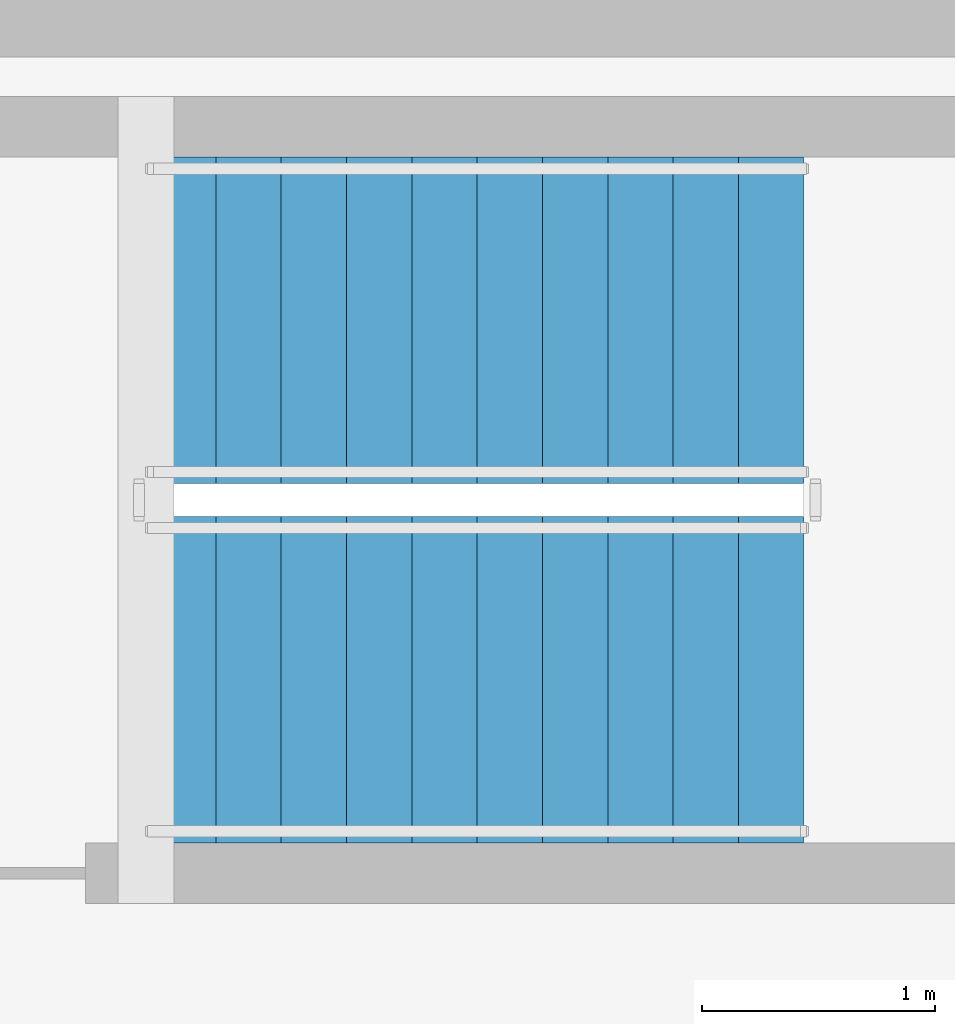
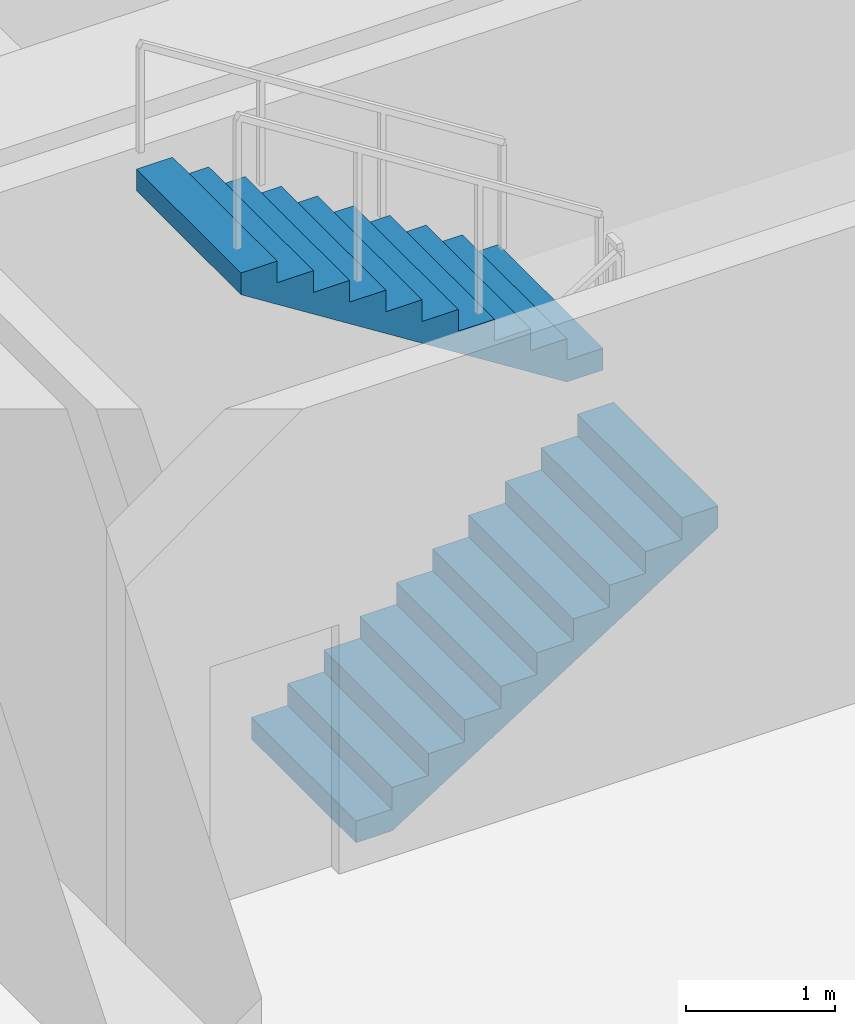
# One storey, part 22 of 26: 2 stair flights, 1 element without a shape of its own.
"""IFC4 building model written with IfcOpenShell, lengths in metres."""

from ifc_helpers import new_model, si_unit, direction, frame, origin, place, context, subcontext, project, spatial, polyline, outline, extrude, material, type_object, element, aggregate, save


model = new_model("IFC4")

# Units and contexts
model_context = context("Model", 3, precision=1e-05, world=origin(), true_north=direction((0.0, 1.0)))
body_context = subcontext(model_context, "Body", "Model", "MODEL_VIEW")
ifc_project = project(units=[si_unit("LENGTHUNIT", "METRE"), si_unit("AREAUNIT", "SQUARE_METRE"), si_unit("VOLUMEUNIT", "CUBIC_METRE"), si_unit("PLANEANGLEUNIT", "RADIAN"), si_unit("MASSUNIT", "GRAM", prefix="KILO")], contexts=[model_context])

# Site, building, storey
site_placement = place(None, origin())
site = spatial("IfcSite", under=ifc_project, at=site_placement, CompositionType="ELEMENT")
building_placement = place(site_placement, origin())
building = spatial("IfcBuilding", under=site, at=building_placement, Name="Kiyonajd Concourse Tower", CompositionType="ELEMENT")
storey_placement = place(building_placement, frame((0.0, 0.0, 72.89990234375)))
storey = spatial("IfcBuildingStorey", under=building, at=storey_placement, Name="L19", CompositionType="ELEMENT", Elevation=72.89990234375)

# Stair, stair flights
ifc_material = material(Name="Concrete C40/50", Category="concrete")
stair_type = type_object("IfcStairType", Name="ST-DLG-22R", PredefinedType="HALF_TURN_STAIR", material=ifc_material)
stair_placement = place(storey_placement, origin())
stair = element("IfcStair", 1, at=stair_placement, inside=storey, type_object=stair_type, Name="L19 Protected Exit Stair ST3", PredefinedType="HALF_TURN_STAIR")
stair_flight_type = type_object("IfcStairFlightType", Name="SF-STR-22R", PredefinedType="STRAIGHT", material=ifc_material)
stair_flight_1_placement = place(storey_placement, frame((56.47998046875, 40.780029296875, 0.0), z_axis=(0.0, 0.0, 1.0), x_axis=(1.0, 0.0, 0.0)))
stair_flight_1 = element("IfcStairFlight", 2, at=stair_flight_1_placement, type_object=stair_flight_type, Name="ST3 flight 1", NumberOfRisers=11, NumberOfTreads=10, PredefinedType="STRAIGHT", RiserHeight=0.177272727, TreadLength=0.28, context=body_context, shape_type="SweptSolid", body=[
    extrude(outline(polyline([(0.0, 0.0), (0.0, 0.17724609375), (0.280029296875, 0.17724609375), (0.280029296875, 0.3544921875), (0.56005859375, 0.3544921875), (0.56005859375, 0.53173828125), (0.840087890625, 0.53173828125), (0.840087890625, 0.708984375), (1.1201171875, 0.708984375), (1.1201171875, 0.886474609375), (1.39990234375, 0.886474609375), (1.39990234375, 1.063720703125), (1.679931640625, 1.063720703125), (1.679931640625, 1.240966796875), (1.9599609375, 1.240966796875), (1.9599609375, 1.418212890625), (2.239990234375, 1.418212890625), (2.239990234375, 1.595458984375), (2.52001953125, 1.595458984375), (2.52001953125, 1.772705078125), (2.800048828125, 1.772705078125), (2.800048828125, 1.949951171875), (2.800048828125, 1.59521484375), (0.2802734375, 0.0), (0.0, 0.0)])), frame((0.0, 0.699951171875, 0.0), z_axis=(0.0, -1.0, 0.0), x_axis=(1.0, 0.0, 0.0)), (0.0, 0.0, 1.0), 1.39990234375),
])
stair_flight_2_placement = place(storey_placement, frame((59.280029296875, 42.320068359375, 1.9501953125), z_axis=(0.0, 0.0, 1.0), x_axis=(-1.0, 0.0, 0.0)))
stair_flight_2 = element("IfcStairFlight", 3, at=stair_flight_2_placement, type_object=stair_flight_type, Name="ST3 flight 2", NumberOfRisers=11, NumberOfTreads=10, PredefinedType="STRAIGHT", RiserHeight=0.177272727, TreadLength=0.28, context=body_context, shape_type="SweptSolid", body=[
    extrude(outline(polyline([(0.0, 0.0), (0.0, 0.17724609375), (0.280029296875, 0.17724609375), (0.280029296875, 0.3544921875), (0.56005859375, 0.3544921875), (0.56005859375, 0.53173828125), (0.840087890625, 0.53173828125), (0.840087890625, 0.708984375), (1.1201171875, 0.708984375), (1.1201171875, 0.886474609375), (1.39990234375, 0.886474609375), (1.39990234375, 1.063720703125), (1.679931640625, 1.063720703125), (1.679931640625, 1.240966796875), (1.9599609375, 1.240966796875), (1.9599609375, 1.418212890625), (2.239990234375, 1.418212890625), (2.239990234375, 1.595458984375), (2.52001953125, 1.595458984375), (2.52001953125, 1.772705078125), (2.800048828125, 1.772705078125), (2.800048828125, 1.949951171875), (2.800048828125, 1.59521484375), (0.2802734375, 0.0), (0.0, 0.0)])), frame((0.0, 0.699951171875, 0.0), z_axis=(0.0, -1.0, 0.0), x_axis=(1.0, 0.0, 0.0)), (0.0, 0.0, 1.0), 1.39990234375),
])
aggregate(stair, [stair_flight_1, stair_flight_2])

save(model, "model.ifc")
